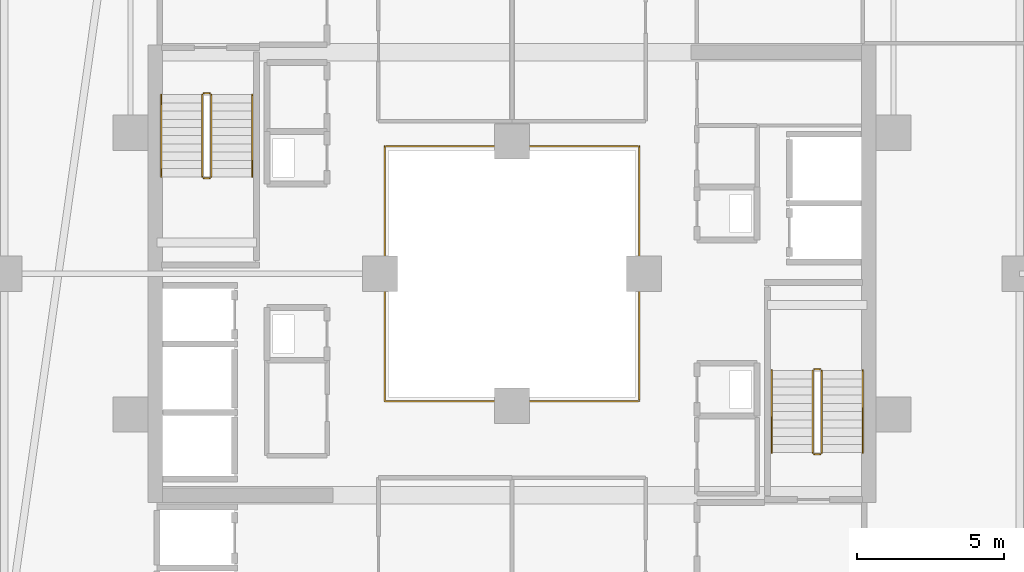
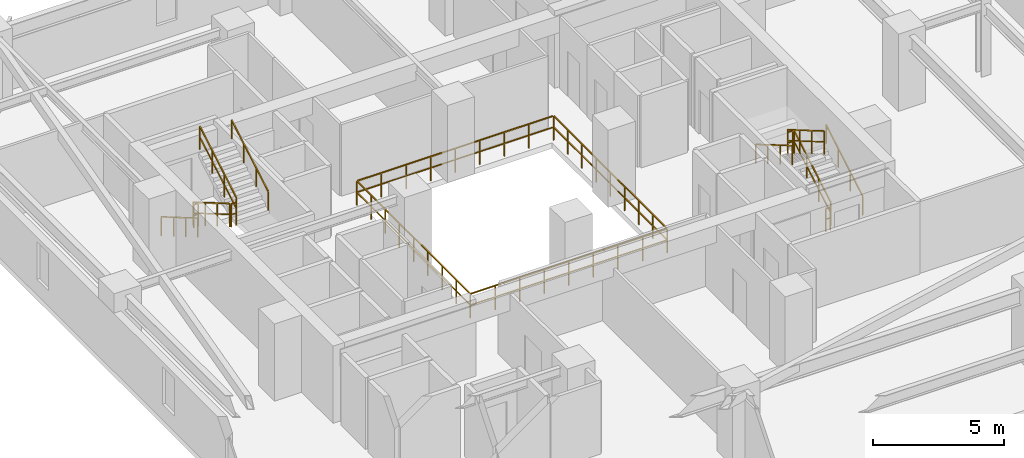
# One storey, part 31 of 32: 13 railings.
"""IFC4 building model written with IfcOpenShell, lengths in metres."""

from ifc_helpers import new_model, si_unit, direction, frame, origin, origin_2d, place, context, subcontext, project, spatial, rectangle, extrude, material, type_object, element, save


model = new_model("IFC4")

# Units and contexts
model_context = context("Model", 3, precision=1e-05, world=origin(), true_north=direction((0.0, 1.0)))
body_context = subcontext(model_context, "Body", "Model", "MODEL_VIEW")
ifc_project = project(units=[si_unit("LENGTHUNIT", "METRE"), si_unit("AREAUNIT", "SQUARE_METRE"), si_unit("VOLUMEUNIT", "CUBIC_METRE"), si_unit("PLANEANGLEUNIT", "RADIAN"), si_unit("MASSUNIT", "GRAM", prefix="KILO")], contexts=[model_context])

# Site, building, storey
site_placement = place(None, origin())
site = spatial("IfcSite", under=ifc_project, at=site_placement, CompositionType="ELEMENT")
building_placement = place(site_placement, origin())
building = spatial("IfcBuilding", under=site, at=building_placement, Name="Thornwick Lancets Civic Towers", CompositionType="ELEMENT")
storey_placement = place(building_placement, frame((0.0, 0.0, 123.300048828125)))
storey = spatial("IfcBuildingStorey", under=building, at=storey_placement, Name="L32", CompositionType="ELEMENT", Elevation=123.300048828125)

# Railings
ifc_material_1 = material(Name="Laminated glass and bronze steel S355", Category="steel")
railing_type_1 = type_object("IfcRailingType", Name="RAIL_ATRIUM_GUARD", PredefinedType="BALUSTRADE", material=ifc_material_1)
railing_1_placement = place(storey_placement, frame((84.159912109375, 22.659912109375, 0.0)))
element("IfcRailing", 1, at=railing_1_placement, inside=storey, type_object=railing_type_1, Name="L32 Tower B Central Atrium Guard Balustrade", PredefinedType="BALUSTRADE", context=body_context, shape_type="SweptSolid", body=[
    extrude(rectangle(XDim=0.048095703125, YDim=0.048095703125, at=origin_2d()), frame((0.0, 0.0, 1.1259765625), z_axis=(1.0, 0.0, 0.0), x_axis=(0.0, 1.0, 0.0)), (0.0, 0.0, 1.0), 8.64892578125),
    extrude(rectangle(XDim=0.0419921875, YDim=0.0419921875, at=origin_2d()), frame((0.03759765625, 0.0, 0.597900390625), z_axis=(1.0, 0.0, 0.0), x_axis=(0.0, 1.0, 0.0)), (0.0, 0.0, 1.0), 1.010009765625),
    extrude(rectangle(XDim=0.0419921875, YDim=0.0419921875, at=origin_2d()), frame((1.12255859375, 0.0, 0.597900390625), z_axis=(1.0, 0.0, 0.0), x_axis=(0.0, 1.0, 0.0)), (0.0, 0.0, 1.0), 1.010009765625),
    extrude(rectangle(XDim=0.0419921875, YDim=0.0419921875, at=origin_2d()), frame((2.20751953125, 0.0, 0.597900390625), z_axis=(1.0, 0.0, 0.0), x_axis=(0.0, 1.0, 0.0)), (0.0, 0.0, 1.0), 1.010009765625),
    extrude(rectangle(XDim=0.0419921875, YDim=0.0419921875, at=origin_2d()), frame((3.29248046875, 0.0, 0.597900390625), z_axis=(1.0, 0.0, 0.0), x_axis=(0.0, 1.0, 0.0)), (0.0, 0.0, 1.0), 1.010009765625),
    extrude(rectangle(XDim=0.0419921875, YDim=0.0419921875, at=origin_2d()), frame((4.377685546875, 0.0, 0.597900390625), z_axis=(1.0, 0.0, 0.0), x_axis=(0.0, 1.0, 0.0)), (0.0, 0.0, 1.0), 1.010009765625),
    extrude(rectangle(XDim=0.0419921875, YDim=0.0419921875, at=origin_2d()), frame((5.462646484375, 0.0, 0.597900390625), z_axis=(1.0, 0.0, 0.0), x_axis=(0.0, 1.0, 0.0)), (0.0, 0.0, 1.0), 1.010009765625),
    extrude(rectangle(XDim=0.0419921875, YDim=0.0419921875, at=origin_2d()), frame((6.547607421875, 0.0, 0.597900390625), z_axis=(1.0, 0.0, 0.0), x_axis=(0.0, 1.0, 0.0)), (0.0, 0.0, 1.0), 1.010009765625),
    extrude(rectangle(XDim=0.0419921875, YDim=0.0419921875, at=origin_2d()), frame((7.632568359375, 0.0, 0.597900390625), z_axis=(1.0, 0.0, 0.0), x_axis=(0.0, 1.0, 0.0)), (0.0, 0.0, 1.0), 1.010009765625),
    extrude(rectangle(XDim=0.048095703125, YDim=0.048095703125, at=origin_2d()), frame((8.68017578125, 0.03125, 1.1259765625), z_axis=(0.0, 1.0, 0.0), x_axis=(-1.0, 0.0, 0.0)), (0.0, 0.0, 1.0), 8.61767578125),
    extrude(rectangle(XDim=0.0419921875, YDim=0.0419921875, at=origin_2d()), frame((8.68017578125, 0.03759765625, 0.597900390625), z_axis=(0.0, 1.0, 0.0), x_axis=(-1.0, 0.0, 0.0)), (0.0, 0.0, 1.0), 1.010009765625),
    extrude(rectangle(XDim=0.0419921875, YDim=0.0419921875, at=origin_2d()), frame((8.68017578125, 1.12255859375, 0.597900390625), z_axis=(0.0, 1.0, 0.0), x_axis=(-1.0, 0.0, 0.0)), (0.0, 0.0, 1.0), 1.010009765625),
    extrude(rectangle(XDim=0.0419921875, YDim=0.0419921875, at=origin_2d()), frame((8.68017578125, 2.20751953125, 0.597900390625), z_axis=(0.0, 1.0, 0.0), x_axis=(-1.0, 0.0, 0.0)), (0.0, 0.0, 1.0), 1.010009765625),
    extrude(rectangle(XDim=0.0419921875, YDim=0.0419921875, at=origin_2d()), frame((8.68017578125, 3.29248046875, 0.597900390625), z_axis=(0.0, 1.0, 0.0), x_axis=(-1.0, 0.0, 0.0)), (0.0, 0.0, 1.0), 1.010009765625),
    extrude(rectangle(XDim=0.0419921875, YDim=0.0419921875, at=origin_2d()), frame((8.68017578125, 4.377685546875, 0.597900390625), z_axis=(0.0, 1.0, 0.0), x_axis=(-1.0, 0.0, 0.0)), (0.0, 0.0, 1.0), 1.010009765625),
    extrude(rectangle(XDim=0.0419921875, YDim=0.0419921875, at=origin_2d()), frame((8.68017578125, 5.462646484375, 0.597900390625), z_axis=(0.0, 1.0, 0.0), x_axis=(-1.0, 0.0, 0.0)), (0.0, 0.0, 1.0), 1.010009765625),
    extrude(rectangle(XDim=0.0419921875, YDim=0.0419921875, at=origin_2d()), frame((8.68017578125, 6.547607421875, 0.597900390625), z_axis=(0.0, 1.0, 0.0), x_axis=(-1.0, 0.0, 0.0)), (0.0, 0.0, 1.0), 1.010009765625),
    extrude(rectangle(XDim=0.0419921875, YDim=0.0419921875, at=origin_2d()), frame((8.68017578125, 7.632568359375, 0.597900390625), z_axis=(0.0, 1.0, 0.0), x_axis=(-1.0, 0.0, 0.0)), (0.0, 0.0, 1.0), 1.010009765625),
    extrude(rectangle(XDim=0.048095703125, YDim=0.048095703125, at=origin_2d()), frame((8.64892578125, 8.68017578125, 1.1259765625), z_axis=(-1.0, 0.0, 0.0), x_axis=(0.0, -1.0, 0.0)), (0.0, 0.0, 1.0), 8.61767578125),
    extrude(rectangle(XDim=0.0419921875, YDim=0.0419921875, at=origin_2d()), frame((8.642578125, 8.68017578125, 0.597900390625), z_axis=(-1.0, 0.0, 0.0), x_axis=(0.0, -1.0, 0.0)), (0.0, 0.0, 1.0), 1.010009765625),
    extrude(rectangle(XDim=0.0419921875, YDim=0.0419921875, at=origin_2d()), frame((7.5576171875, 8.68017578125, 0.597900390625), z_axis=(-1.0, 0.0, 0.0), x_axis=(0.0, -1.0, 0.0)), (0.0, 0.0, 1.0), 1.010009765625),
    extrude(rectangle(XDim=0.0419921875, YDim=0.0419921875, at=origin_2d()), frame((6.47265625, 8.68017578125, 0.597900390625), z_axis=(-1.0, 0.0, 0.0), x_axis=(0.0, -1.0, 0.0)), (0.0, 0.0, 1.0), 1.010009765625),
    extrude(rectangle(XDim=0.0419921875, YDim=0.0419921875, at=origin_2d()), frame((5.3876953125, 8.68017578125, 0.597900390625), z_axis=(-1.0, 0.0, 0.0), x_axis=(0.0, -1.0, 0.0)), (0.0, 0.0, 1.0), 1.010009765625),
    extrude(rectangle(XDim=0.0419921875, YDim=0.0419921875, at=origin_2d()), frame((4.302490234375, 8.68017578125, 0.597900390625), z_axis=(-1.0, 0.0, 0.0), x_axis=(0.0, -1.0, 0.0)), (0.0, 0.0, 1.0), 1.010009765625),
    extrude(rectangle(XDim=0.0419921875, YDim=0.0419921875, at=origin_2d()), frame((3.217529296875, 8.68017578125, 0.597900390625), z_axis=(-1.0, 0.0, 0.0), x_axis=(0.0, -1.0, 0.0)), (0.0, 0.0, 1.0), 1.010009765625),
    extrude(rectangle(XDim=0.0419921875, YDim=0.0419921875, at=origin_2d()), frame((2.132568359375, 8.68017578125, 0.597900390625), z_axis=(-1.0, 0.0, 0.0), x_axis=(0.0, -1.0, 0.0)), (0.0, 0.0, 1.0), 1.010009765625),
    extrude(rectangle(XDim=0.0419921875, YDim=0.0419921875, at=origin_2d()), frame((1.047607421875, 8.68017578125, 0.597900390625), z_axis=(-1.0, 0.0, 0.0), x_axis=(0.0, -1.0, 0.0)), (0.0, 0.0, 1.0), 1.010009765625),
    extrude(rectangle(XDim=0.048095703125, YDim=0.048095703125, at=origin_2d()), frame((0.0, 8.64892578125, 1.1259765625), z_axis=(0.0, -1.0, 0.0), x_axis=(1.0, 0.0, 0.0)), (0.0, 0.0, 1.0), 8.64892578125),
    extrude(rectangle(XDim=0.0419921875, YDim=0.0419921875, at=origin_2d()), frame((0.0, 8.642578125, 0.597900390625), z_axis=(0.0, -1.0, 0.0), x_axis=(1.0, 0.0, 0.0)), (0.0, 0.0, 1.0), 1.010009765625),
    extrude(rectangle(XDim=0.0419921875, YDim=0.0419921875, at=origin_2d()), frame((0.0, 7.5576171875, 0.597900390625), z_axis=(0.0, -1.0, 0.0), x_axis=(1.0, 0.0, 0.0)), (0.0, 0.0, 1.0), 1.010009765625),
    extrude(rectangle(XDim=0.0419921875, YDim=0.0419921875, at=origin_2d()), frame((0.0, 6.47265625, 0.597900390625), z_axis=(0.0, -1.0, 0.0), x_axis=(1.0, 0.0, 0.0)), (0.0, 0.0, 1.0), 1.010009765625),
    extrude(rectangle(XDim=0.0419921875, YDim=0.0419921875, at=origin_2d()), frame((0.0, 5.3876953125, 0.597900390625), z_axis=(0.0, -1.0, 0.0), x_axis=(1.0, 0.0, 0.0)), (0.0, 0.0, 1.0), 1.010009765625),
    extrude(rectangle(XDim=0.0419921875, YDim=0.0419921875, at=origin_2d()), frame((0.0, 4.302490234375, 0.597900390625), z_axis=(0.0, -1.0, 0.0), x_axis=(1.0, 0.0, 0.0)), (0.0, 0.0, 1.0), 1.010009765625),
    extrude(rectangle(XDim=0.0419921875, YDim=0.0419921875, at=origin_2d()), frame((0.0, 3.217529296875, 0.597900390625), z_axis=(0.0, -1.0, 0.0), x_axis=(1.0, 0.0, 0.0)), (0.0, 0.0, 1.0), 1.010009765625),
    extrude(rectangle(XDim=0.0419921875, YDim=0.0419921875, at=origin_2d()), frame((0.0, 2.132568359375, 0.597900390625), z_axis=(0.0, -1.0, 0.0), x_axis=(1.0, 0.0, 0.0)), (0.0, 0.0, 1.0), 1.010009765625),
    extrude(rectangle(XDim=0.0419921875, YDim=0.0419921875, at=origin_2d()), frame((0.0, 1.047607421875, 0.597900390625), z_axis=(0.0, -1.0, 0.0), x_axis=(1.0, 0.0, 0.0)), (0.0, 0.0, 1.0), 1.010009765625),
    extrude(rectangle(XDim=0.0419921875, YDim=0.0419921875, at=origin_2d()), origin(), (0.0, 0.0, 1.0), 1.095703125),
    extrude(rectangle(XDim=0.0419921875, YDim=0.0419921875, at=origin_2d()), frame((1.0849609375, 0.0, 0.0)), (0.0, 0.0, 1.0), 1.095703125),
    extrude(rectangle(XDim=0.0419921875, YDim=0.0419921875, at=origin_2d()), frame((2.169921875, 0.0, 0.0)), (0.0, 0.0, 1.0), 1.095703125),
    extrude(rectangle(XDim=0.0419921875, YDim=0.0419921875, at=origin_2d()), frame((3.255126953125, 0.0, 0.0)), (0.0, 0.0, 1.0), 1.095703125),
    extrude(rectangle(XDim=0.0419921875, YDim=0.0419921875, at=origin_2d()), frame((4.340087890625, 0.0, 0.0)), (0.0, 0.0, 1.0), 1.095703125),
    extrude(rectangle(XDim=0.0419921875, YDim=0.0419921875, at=origin_2d()), frame((5.425048828125, 0.0, 0.0)), (0.0, 0.0, 1.0), 1.095703125),
    extrude(rectangle(XDim=0.0419921875, YDim=0.0419921875, at=origin_2d()), frame((6.51025390625, 0.0, 0.0)), (0.0, 0.0, 1.0), 1.095703125),
    extrude(rectangle(XDim=0.0419921875, YDim=0.0419921875, at=origin_2d()), frame((7.59521484375, 0.0, 0.0)), (0.0, 0.0, 1.0), 1.095703125),
    extrude(rectangle(XDim=0.0419921875, YDim=0.0419921875, at=origin_2d()), frame((8.68017578125, 0.0, 0.0)), (0.0, 0.0, 1.0), 1.095703125),
    extrude(rectangle(XDim=0.0419921875, YDim=0.0419921875, at=origin_2d()), frame((8.68017578125, 1.0849609375, 0.0)), (0.0, 0.0, 1.0), 1.095703125),
    extrude(rectangle(XDim=0.0419921875, YDim=0.0419921875, at=origin_2d()), frame((8.68017578125, 2.169921875, 0.0)), (0.0, 0.0, 1.0), 1.095703125),
    extrude(rectangle(XDim=0.0419921875, YDim=0.0419921875, at=origin_2d()), frame((8.68017578125, 3.255126953125, 0.0)), (0.0, 0.0, 1.0), 1.095703125),
    extrude(rectangle(XDim=0.0419921875, YDim=0.0419921875, at=origin_2d()), frame((8.68017578125, 4.340087890625, 0.0)), (0.0, 0.0, 1.0), 1.095703125),
    extrude(rectangle(XDim=0.0419921875, YDim=0.0419921875, at=origin_2d()), frame((8.68017578125, 5.425048828125, 0.0)), (0.0, 0.0, 1.0), 1.095703125),
    extrude(rectangle(XDim=0.0419921875, YDim=0.0419921875, at=origin_2d()), frame((8.68017578125, 6.51025390625, 0.0)), (0.0, 0.0, 1.0), 1.095703125),
    extrude(rectangle(XDim=0.0419921875, YDim=0.0419921875, at=origin_2d()), frame((8.68017578125, 7.59521484375, 0.0)), (0.0, 0.0, 1.0), 1.095703125),
    extrude(rectangle(XDim=0.0419921875, YDim=0.0419921875, at=origin_2d()), frame((8.68017578125, 8.68017578125, 0.0)), (0.0, 0.0, 1.0), 1.095703125),
    extrude(rectangle(XDim=0.0419921875, YDim=0.0419921875, at=origin_2d()), frame((7.59521484375, 8.68017578125, 0.0)), (0.0, 0.0, 1.0), 1.095703125),
    extrude(rectangle(XDim=0.0419921875, YDim=0.0419921875, at=origin_2d()), frame((6.51025390625, 8.68017578125, 0.0)), (0.0, 0.0, 1.0), 1.095703125),
    extrude(rectangle(XDim=0.0419921875, YDim=0.0419921875, at=origin_2d()), frame((5.425048828125, 8.68017578125, 0.0)), (0.0, 0.0, 1.0), 1.095703125),
    extrude(rectangle(XDim=0.0419921875, YDim=0.0419921875, at=origin_2d()), frame((4.340087890625, 8.68017578125, 0.0)), (0.0, 0.0, 1.0), 1.095703125),
    extrude(rectangle(XDim=0.0419921875, YDim=0.0419921875, at=origin_2d()), frame((3.255126953125, 8.68017578125, 0.0)), (0.0, 0.0, 1.0), 1.095703125),
    extrude(rectangle(XDim=0.0419921875, YDim=0.0419921875, at=origin_2d()), frame((2.169921875, 8.68017578125, 0.0)), (0.0, 0.0, 1.0), 1.095703125),
    extrude(rectangle(XDim=0.0419921875, YDim=0.0419921875, at=origin_2d()), frame((1.0849609375, 8.68017578125, 0.0)), (0.0, 0.0, 1.0), 1.095703125),
    extrude(rectangle(XDim=0.0419921875, YDim=0.0419921875, at=origin_2d()), frame((0.0, 8.68017578125, 0.0)), (0.0, 0.0, 1.0), 1.095703125),
    extrude(rectangle(XDim=0.0419921875, YDim=0.0419921875, at=origin_2d()), frame((0.0, 7.59521484375, 0.0)), (0.0, 0.0, 1.0), 1.095703125),
    extrude(rectangle(XDim=0.0419921875, YDim=0.0419921875, at=origin_2d()), frame((0.0, 6.51025390625, 0.0)), (0.0, 0.0, 1.0), 1.095703125),
    extrude(rectangle(XDim=0.0419921875, YDim=0.0419921875, at=origin_2d()), frame((0.0, 5.425048828125, 0.0)), (0.0, 0.0, 1.0), 1.095703125),
    extrude(rectangle(XDim=0.0419921875, YDim=0.0419921875, at=origin_2d()), frame((0.0, 4.340087890625, 0.0)), (0.0, 0.0, 1.0), 1.095703125),
    extrude(rectangle(XDim=0.0419921875, YDim=0.0419921875, at=origin_2d()), frame((0.0, 3.255126953125, 0.0)), (0.0, 0.0, 1.0), 1.095703125),
    extrude(rectangle(XDim=0.0419921875, YDim=0.0419921875, at=origin_2d()), frame((0.0, 2.169921875, 0.0)), (0.0, 0.0, 1.0), 1.095703125),
    extrude(rectangle(XDim=0.0419921875, YDim=0.0419921875, at=origin_2d()), frame((0.0, 1.0849609375, 0.0)), (0.0, 0.0, 1.0), 1.095703125),
])
ifc_material_2 = material(Name="Brushed stainless steel S355", Category="steel")
railing_type_2 = type_object("IfcRailingType", Name="RAIL_HANDRAIL", PredefinedType="HANDRAIL", material=ifc_material_2)
railing_2_placement = place(storey_placement, frame((100.449951171875, 20.89990234375, 0.16357421875)))
element("IfcRailing", 2, at=railing_2_placement, inside=storey, type_object=railing_type_2, Name="L32 ST-B1 stair handrail 1", PredefinedType="HANDRAIL", context=body_context, shape_type="SweptSolid", body=[
    extrude(rectangle(XDim=0.048095703125, YDim=0.048095703125, at=origin_2d()), frame((0.0, 0.0, 0.8857421875), z_axis=(0.0, 0.863360870873, 0.504586966384), x_axis=(-1.0, 0.0, 0.0)), (0.0, 0.0, 1.0), 3.2431640625),
    extrude(rectangle(XDim=0.0419921875, YDim=0.0419921875, at=origin_2d()), origin(), (0.0, 0.0, 1.0), 0.855712890625),
    extrude(rectangle(XDim=0.0419921875, YDim=0.0419921875, at=origin_2d()), frame((0.0, 0.933349609375, 0.54541015625)), (0.0, 0.0, 1.0), 0.855712890625),
    extrude(rectangle(XDim=0.0419921875, YDim=0.0419921875, at=origin_2d()), frame((0.0, 1.86669921875, 1.091064453125)), (0.0, 0.0, 1.0), 0.855712890625),
    extrude(rectangle(XDim=0.0419921875, YDim=0.0419921875, at=origin_2d()), frame((0.0, 2.800048828125, 1.636474609375)), (0.0, 0.0, 1.0), 0.855712890625),
])
railing_3_placement = place(storey_placement, frame((97.35009765625, 23.699951171875, 1.963623046875)))
element("IfcRailing", 3, at=railing_3_placement, inside=storey, type_object=railing_type_2, Name="L32 ST-B1 stair handrail 2", PredefinedType="HANDRAIL", context=body_context, shape_type="SweptSolid", body=[
    extrude(rectangle(XDim=0.048095703125, YDim=0.048095703125, at=origin_2d()), frame((0.0, 0.0, 0.8857421875), z_axis=(0.0, -0.863393664356, 0.504530851732), x_axis=(1.0, 0.0, 0.0)), (0.0, 0.0, 1.0), 3.2431640625),
    extrude(rectangle(XDim=0.0419921875, YDim=0.0419921875, at=origin_2d()), origin(), (0.0, 0.0, 1.0), 0.855712890625),
    extrude(rectangle(XDim=0.0419921875, YDim=0.0419921875, at=origin_2d()), frame((0.0, -0.933349609375, 0.54541015625)), (0.0, 0.0, 1.0), 0.855712890625),
    extrude(rectangle(XDim=0.0419921875, YDim=0.0419921875, at=origin_2d()), frame((0.0, -1.86669921875, 1.0908203125)), (0.0, 0.0, 1.0), 0.855712890625),
    extrude(rectangle(XDim=0.0419921875, YDim=0.0419921875, at=origin_2d()), frame((0.0, -2.800048828125, 1.63623046875)), (0.0, 0.0, 1.0), 0.855712890625),
])
railing_4_placement = place(storey_placement, frame((76.550048828125, 33.10009765625, 0.16357421875)))
element("IfcRailing", 4, at=railing_4_placement, inside=storey, type_object=railing_type_2, Name="L32 ST-B2 stair handrail 1", PredefinedType="HANDRAIL", context=body_context, shape_type="SweptSolid", body=[
    extrude(rectangle(XDim=0.048095703125, YDim=0.048095703125, at=origin_2d()), frame((0.0, 0.0, 0.8857421875), z_axis=(0.0, -0.863360870873, 0.504586966384), x_axis=(1.0, 0.0, 0.0)), (0.0, 0.0, 1.0), 3.2431640625),
    extrude(rectangle(XDim=0.0419921875, YDim=0.0419921875, at=origin_2d()), origin(), (0.0, 0.0, 1.0), 0.855712890625),
    extrude(rectangle(XDim=0.0419921875, YDim=0.0419921875, at=origin_2d()), frame((0.0, -0.933349609375, 0.54541015625)), (0.0, 0.0, 1.0), 0.855712890625),
    extrude(rectangle(XDim=0.0419921875, YDim=0.0419921875, at=origin_2d()), frame((0.0, -1.86669921875, 1.091064453125)), (0.0, 0.0, 1.0), 0.855712890625),
    extrude(rectangle(XDim=0.0419921875, YDim=0.0419921875, at=origin_2d()), frame((0.0, -2.800048828125, 1.636474609375)), (0.0, 0.0, 1.0), 0.855712890625),
])
railing_5_placement = place(storey_placement, frame((79.64990234375, 30.300048828125, 1.963623046875)))
element("IfcRailing", 5, at=railing_5_placement, inside=storey, type_object=railing_type_2, Name="L32 ST-B2 stair handrail 2", PredefinedType="HANDRAIL", context=body_context, shape_type="SweptSolid", body=[
    extrude(rectangle(XDim=0.048095703125, YDim=0.048095703125, at=origin_2d()), frame((0.0, 0.0, 0.8857421875), z_axis=(0.0, 0.863393664356, 0.504530851732), x_axis=(-1.0, 0.0, 0.0)), (0.0, 0.0, 1.0), 3.2431640625),
    extrude(rectangle(XDim=0.0419921875, YDim=0.0419921875, at=origin_2d()), origin(), (0.0, 0.0, 1.0), 0.855712890625),
    extrude(rectangle(XDim=0.0419921875, YDim=0.0419921875, at=origin_2d()), frame((0.0, 0.933349609375, 0.54541015625)), (0.0, 0.0, 1.0), 0.855712890625),
    extrude(rectangle(XDim=0.0419921875, YDim=0.0419921875, at=origin_2d()), frame((0.0, 1.86669921875, 1.0908203125)), (0.0, 0.0, 1.0), 0.855712890625),
    extrude(rectangle(XDim=0.0419921875, YDim=0.0419921875, at=origin_2d()), frame((0.0, 2.800048828125, 1.63623046875)), (0.0, 0.0, 1.0), 0.855712890625),
])
ifc_material_3 = material(Name="Steel S355JR", Category="steel")
railing_type_3 = type_object("IfcRailingType", Name="RAIL_STAIR_GUARD", PredefinedType="GUARDRAIL", material=ifc_material_3)
railing_6_placement = place(storey_placement, frame((99.050048828125, 20.89990234375, 0.16357421875)))
element("IfcRailing", 6, at=railing_6_placement, inside=storey, type_object=railing_type_3, Name="L32 ST-B1 stair guard 1", PredefinedType="GUARDRAIL", context=body_context, shape_type="SweptSolid", body=[
    extrude(rectangle(XDim=0.048095703125, YDim=0.048095703125, at=origin_2d()), frame((0.0, 0.0, 1.076171875), z_axis=(0.0, 0.863360870873, 0.504586966384), x_axis=(-1.0, 0.0, 0.0)), (0.0, 0.0, 1.0), 3.2431640625),
    extrude(rectangle(XDim=0.0419921875, YDim=0.0419921875, at=origin_2d()), frame((0.0, 0.032470703125, 0.591064453125), z_axis=(0.0, 0.863360870873, 0.504586966384), x_axis=(-1.0, 0.0, 0.0)), (0.0, 0.0, 1.0), 1.006103515625),
    extrude(rectangle(XDim=0.0419921875, YDim=0.0419921875, at=origin_2d()), frame((0.0, 0.9658203125, 1.136474609375), z_axis=(0.0, 0.863360870873, 0.504586966384), x_axis=(-1.0, 0.0, 0.0)), (0.0, 0.0, 1.0), 1.006103515625),
    extrude(rectangle(XDim=0.0419921875, YDim=0.0419921875, at=origin_2d()), frame((0.0, 1.899169921875, 1.681884765625), z_axis=(0.0, 0.863360870873, 0.504586966384), x_axis=(-1.0, 0.0, 0.0)), (0.0, 0.0, 1.0), 1.006103515625),
    extrude(rectangle(XDim=0.0419921875, YDim=0.0419921875, at=origin_2d()), origin(), (0.0, 0.0, 1.0), 1.0458984375),
    extrude(rectangle(XDim=0.0419921875, YDim=0.0419921875, at=origin_2d()), frame((0.0, 0.933349609375, 0.54541015625)), (0.0, 0.0, 1.0), 1.0458984375),
    extrude(rectangle(XDim=0.0419921875, YDim=0.0419921875, at=origin_2d()), frame((0.0, 1.86669921875, 1.091064453125)), (0.0, 0.0, 1.0), 1.0458984375),
    extrude(rectangle(XDim=0.0419921875, YDim=0.0419921875, at=origin_2d()), frame((0.0, 2.800048828125, 1.636474609375)), (0.0, 0.0, 1.0), 1.0458984375),
])
railing_7_placement = place(storey_placement, frame((99.0, 23.75, 1.800048828125)))
element("IfcRailing", 7, at=railing_7_placement, inside=storey, type_object=railing_type_3, Name="L32 ST-B1 stair guard 2", PredefinedType="GUARDRAIL", context=body_context, shape_type="SweptSolid", body=[
    extrude(rectangle(XDim=0.048095703125, YDim=0.048095703125, at=origin_2d()), frame((0.0, 0.0, 1.076171875), z_axis=(-1.0, 0.0, 0.0), x_axis=(0.0, -1.0, 0.0)), (0.0, 0.0, 1.0), 0.199951171875),
    extrude(rectangle(XDim=0.0419921875, YDim=0.0419921875, at=origin_2d()), frame((-0.03759765625, 0.0, 0.572021484375), z_axis=(-1.0, 0.0, 0.0), x_axis=(0.0, -1.0, 0.0)), (0.0, 0.0, 1.0), 0.125),
    extrude(rectangle(XDim=0.0419921875, YDim=0.0419921875, at=origin_2d()), origin(), (0.0, 0.0, 1.0), 1.0458984375),
    extrude(rectangle(XDim=0.0419921875, YDim=0.0419921875, at=origin_2d()), frame((-0.199951171875, 0.0, 0.0)), (0.0, 0.0, 1.0), 1.0458984375),
])
railing_8_placement = place(storey_placement, frame((98.75, 23.699951171875, 1.963623046875)))
element("IfcRailing", 8, at=railing_8_placement, inside=storey, type_object=railing_type_3, Name="L32 ST-B1 stair guard 3", PredefinedType="GUARDRAIL", context=body_context, shape_type="SweptSolid", body=[
    extrude(rectangle(XDim=0.048095703125, YDim=0.048095703125, at=origin_2d()), frame((0.0, 0.0, 1.076171875), z_axis=(0.0, -0.863393664356, 0.504530851732), x_axis=(1.0, 0.0, 0.0)), (0.0, 0.0, 1.0), 3.2431640625),
    extrude(rectangle(XDim=0.0419921875, YDim=0.0419921875, at=origin_2d()), frame((0.0, -0.032470703125, 0.591064453125), z_axis=(0.0, -0.863393664356, 0.504530851732), x_axis=(1.0, 0.0, 0.0)), (0.0, 0.0, 1.0), 1.006103515625),
    extrude(rectangle(XDim=0.0419921875, YDim=0.0419921875, at=origin_2d()), frame((0.0, -0.9658203125, 1.136474609375), z_axis=(0.0, -0.863393664356, 0.504530851732), x_axis=(1.0, 0.0, 0.0)), (0.0, 0.0, 1.0), 1.006103515625),
    extrude(rectangle(XDim=0.0419921875, YDim=0.0419921875, at=origin_2d()), frame((0.0, -1.899169921875, 1.681884765625), z_axis=(0.0, -0.863393664356, 0.504530851732), x_axis=(1.0, 0.0, 0.0)), (0.0, 0.0, 1.0), 1.006103515625),
    extrude(rectangle(XDim=0.0419921875, YDim=0.0419921875, at=origin_2d()), origin(), (0.0, 0.0, 1.0), 1.0458984375),
    extrude(rectangle(XDim=0.0419921875, YDim=0.0419921875, at=origin_2d()), frame((0.0, -0.933349609375, 0.54541015625)), (0.0, 0.0, 1.0), 1.0458984375),
    extrude(rectangle(XDim=0.0419921875, YDim=0.0419921875, at=origin_2d()), frame((0.0, -1.86669921875, 1.0908203125)), (0.0, 0.0, 1.0), 1.0458984375),
    extrude(rectangle(XDim=0.0419921875, YDim=0.0419921875, at=origin_2d()), frame((0.0, -2.800048828125, 1.63623046875)), (0.0, 0.0, 1.0), 1.0458984375),
])
railing_9_placement = place(storey_placement, frame((99.0, 20.85009765625, 0.0)))
element("IfcRailing", 9, at=railing_9_placement, inside=storey, type_object=railing_type_3, Name="L32 ST-B1 stair guard 4", PredefinedType="GUARDRAIL", context=body_context, shape_type="SweptSolid", body=[
    extrude(rectangle(XDim=0.048095703125, YDim=0.048095703125, at=origin_2d()), frame((0.0, 0.0, 1.076171875), z_axis=(-1.0, 0.0, 0.0), x_axis=(0.0, -1.0, 0.0)), (0.0, 0.0, 1.0), 0.199951171875),
    extrude(rectangle(XDim=0.0419921875, YDim=0.0419921875, at=origin_2d()), frame((-0.03759765625, 0.0, 0.572021484375), z_axis=(-1.0, 0.0, 0.0), x_axis=(0.0, -1.0, 0.0)), (0.0, 0.0, 1.0), 0.125),
    extrude(rectangle(XDim=0.0419921875, YDim=0.0419921875, at=origin_2d()), origin(), (0.0, 0.0, 1.0), 1.0458984375),
    extrude(rectangle(XDim=0.0419921875, YDim=0.0419921875, at=origin_2d()), frame((-0.199951171875, 0.0, 0.0)), (0.0, 0.0, 1.0), 1.0458984375),
])
railing_10_placement = place(storey_placement, frame((77.949951171875, 33.10009765625, 0.16357421875)))
element("IfcRailing", 10, at=railing_10_placement, inside=storey, type_object=railing_type_3, Name="L32 ST-B2 stair guard 1", PredefinedType="GUARDRAIL", context=body_context, shape_type="SweptSolid", body=[
    extrude(rectangle(XDim=0.048095703125, YDim=0.048095703125, at=origin_2d()), frame((0.0, 0.0, 1.076171875), z_axis=(0.0, -0.863360870873, 0.504586966384), x_axis=(1.0, 0.0, 0.0)), (0.0, 0.0, 1.0), 3.2431640625),
    extrude(rectangle(XDim=0.0419921875, YDim=0.0419921875, at=origin_2d()), frame((0.0, -0.032470703125, 0.591064453125), z_axis=(0.0, -0.863360870873, 0.504586966384), x_axis=(1.0, 0.0, 0.0)), (0.0, 0.0, 1.0), 1.006103515625),
    extrude(rectangle(XDim=0.0419921875, YDim=0.0419921875, at=origin_2d()), frame((0.0, -0.9658203125, 1.136474609375), z_axis=(0.0, -0.863360870873, 0.504586966384), x_axis=(1.0, 0.0, 0.0)), (0.0, 0.0, 1.0), 1.006103515625),
    extrude(rectangle(XDim=0.0419921875, YDim=0.0419921875, at=origin_2d()), frame((0.0, -1.899169921875, 1.681884765625), z_axis=(0.0, -0.863360870873, 0.504586966384), x_axis=(1.0, 0.0, 0.0)), (0.0, 0.0, 1.0), 1.006103515625),
    extrude(rectangle(XDim=0.0419921875, YDim=0.0419921875, at=origin_2d()), origin(), (0.0, 0.0, 1.0), 1.0458984375),
    extrude(rectangle(XDim=0.0419921875, YDim=0.0419921875, at=origin_2d()), frame((0.0, -0.933349609375, 0.54541015625)), (0.0, 0.0, 1.0), 1.0458984375),
    extrude(rectangle(XDim=0.0419921875, YDim=0.0419921875, at=origin_2d()), frame((0.0, -1.86669921875, 1.091064453125)), (0.0, 0.0, 1.0), 1.0458984375),
    extrude(rectangle(XDim=0.0419921875, YDim=0.0419921875, at=origin_2d()), frame((0.0, -2.800048828125, 1.636474609375)), (0.0, 0.0, 1.0), 1.0458984375),
])
railing_11_placement = place(storey_placement, frame((78.0, 30.25, 1.800048828125)))
element("IfcRailing", 11, at=railing_11_placement, inside=storey, type_object=railing_type_3, Name="L32 ST-B2 stair guard 2", PredefinedType="GUARDRAIL", context=body_context, shape_type="SweptSolid", body=[
    extrude(rectangle(XDim=0.048095703125, YDim=0.048095703125, at=origin_2d()), frame((0.0, 0.0, 1.076171875), z_axis=(1.0, 0.0, 0.0), x_axis=(0.0, 1.0, 0.0)), (0.0, 0.0, 1.0), 0.199951171875),
    extrude(rectangle(XDim=0.0419921875, YDim=0.0419921875, at=origin_2d()), frame((0.03759765625, 0.0, 0.572021484375), z_axis=(1.0, 0.0, 0.0), x_axis=(0.0, 1.0, 0.0)), (0.0, 0.0, 1.0), 0.125),
    extrude(rectangle(XDim=0.0419921875, YDim=0.0419921875, at=origin_2d()), origin(), (0.0, 0.0, 1.0), 1.0458984375),
    extrude(rectangle(XDim=0.0419921875, YDim=0.0419921875, at=origin_2d()), frame((0.199951171875, 0.0, 0.0)), (0.0, 0.0, 1.0), 1.0458984375),
])
railing_12_placement = place(storey_placement, frame((78.25, 30.300048828125, 1.963623046875)))
element("IfcRailing", 12, at=railing_12_placement, inside=storey, type_object=railing_type_3, Name="L32 ST-B2 stair guard 3", PredefinedType="GUARDRAIL", context=body_context, shape_type="SweptSolid", body=[
    extrude(rectangle(XDim=0.048095703125, YDim=0.048095703125, at=origin_2d()), frame((0.0, 0.0, 1.076171875), z_axis=(0.0, 0.863393664356, 0.504530851732), x_axis=(-1.0, 0.0, 0.0)), (0.0, 0.0, 1.0), 3.2431640625),
    extrude(rectangle(XDim=0.0419921875, YDim=0.0419921875, at=origin_2d()), frame((0.0, 0.032470703125, 0.591064453125), z_axis=(0.0, 0.863393664356, 0.504530851732), x_axis=(-1.0, 0.0, 0.0)), (0.0, 0.0, 1.0), 1.006103515625),
    extrude(rectangle(XDim=0.0419921875, YDim=0.0419921875, at=origin_2d()), frame((0.0, 0.9658203125, 1.136474609375), z_axis=(0.0, 0.863393664356, 0.504530851732), x_axis=(-1.0, 0.0, 0.0)), (0.0, 0.0, 1.0), 1.006103515625),
    extrude(rectangle(XDim=0.0419921875, YDim=0.0419921875, at=origin_2d()), frame((0.0, 1.899169921875, 1.681884765625), z_axis=(0.0, 0.863393664356, 0.504530851732), x_axis=(-1.0, 0.0, 0.0)), (0.0, 0.0, 1.0), 1.006103515625),
    extrude(rectangle(XDim=0.0419921875, YDim=0.0419921875, at=origin_2d()), origin(), (0.0, 0.0, 1.0), 1.0458984375),
    extrude(rectangle(XDim=0.0419921875, YDim=0.0419921875, at=origin_2d()), frame((0.0, 0.933349609375, 0.54541015625)), (0.0, 0.0, 1.0), 1.0458984375),
    extrude(rectangle(XDim=0.0419921875, YDim=0.0419921875, at=origin_2d()), frame((0.0, 1.86669921875, 1.0908203125)), (0.0, 0.0, 1.0), 1.0458984375),
    extrude(rectangle(XDim=0.0419921875, YDim=0.0419921875, at=origin_2d()), frame((0.0, 2.800048828125, 1.63623046875)), (0.0, 0.0, 1.0), 1.0458984375),
])
railing_13_placement = place(storey_placement, frame((78.0, 33.14990234375, 0.0)))
element("IfcRailing", 13, at=railing_13_placement, inside=storey, type_object=railing_type_3, Name="L32 ST-B2 stair guard 4", PredefinedType="GUARDRAIL", context=body_context, shape_type="SweptSolid", body=[
    extrude(rectangle(XDim=0.048095703125, YDim=0.048095703125, at=origin_2d()), frame((0.0, 0.0, 1.076171875), z_axis=(1.0, 0.0, 0.0), x_axis=(0.0, 1.0, 0.0)), (0.0, 0.0, 1.0), 0.199951171875),
    extrude(rectangle(XDim=0.0419921875, YDim=0.0419921875, at=origin_2d()), frame((0.03759765625, 0.0, 0.572021484375), z_axis=(1.0, 0.0, 0.0), x_axis=(0.0, 1.0, 0.0)), (0.0, 0.0, 1.0), 0.125),
    extrude(rectangle(XDim=0.0419921875, YDim=0.0419921875, at=origin_2d()), origin(), (0.0, 0.0, 1.0), 1.0458984375),
    extrude(rectangle(XDim=0.0419921875, YDim=0.0419921875, at=origin_2d()), frame((0.199951171875, 0.0, 0.0)), (0.0, 0.0, 1.0), 1.0458984375),
])

save(model, "model.ifc")
